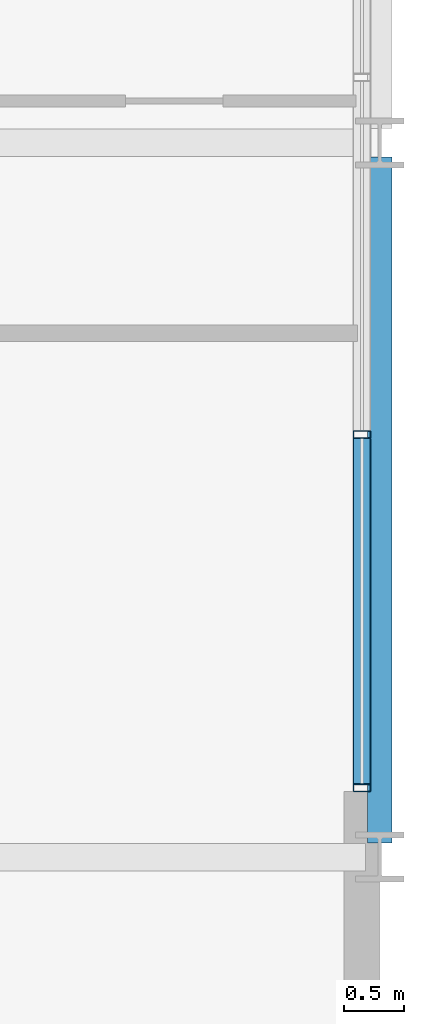
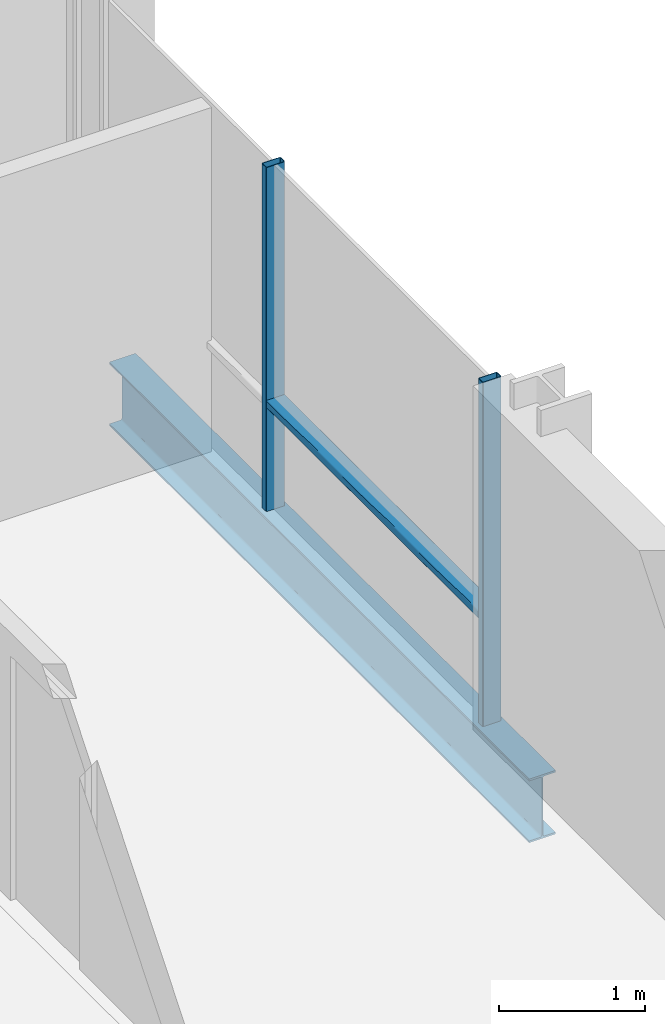
# One storey, part 17 of 41: 3 members, 1 beam, 1 element without a shape of its own.
"""IFC4 building model written with IfcOpenShell, lengths in metres."""

import ifcopenshell
import ifcopenshell.guid

model = None  # the IFC model being written
_history = None  # IfcOwnerHistory: only IFC2X3 demands one
_inside = {}  # id of a spatial element -> (the spatial element, [elements in it])
_under = {}  # id of a project, library or spatial element -> (it, [spatial elements below it])
_declared = {}  # id of a project -> (the project, [libraries it declares])
_typed = {}  # id of a type object -> (the type object, [elements of that type])
_made_of = {}  # id of a material, layer set ... -> (it, [elements and type objects made of it])


def new_model(schema):
    """Start an empty IFC model of exactly this schema.

    Asked for "IFC4X3", IfcOpenShell would pick the latest addendum, in which some entities
    have other attributes; the version numbers below select the first issue.
    IFC2X3 requires an IfcOwnerHistory on every rooted entity: one is made here for all.
    """
    global model, _history
    if schema == "IFC4X3":
        model = ifcopenshell.file(schema_version=(4, 3, 0, 0))
    else:
        model = ifcopenshell.file(schema=schema)
    _inside.clear()
    _under.clear()
    _declared.clear()
    _typed.clear()
    _made_of.clear()
    _history = None
    if model.schema == "IFC2X3":
        org = make("IfcOrganization", Name="unknown")
        user = make(
            "IfcPersonAndOrganization",
            ThePerson=make("IfcPerson", FamilyName="unknown"),
            TheOrganization=org,
        )
        app = make(
            "IfcApplication",
            ApplicationDeveloper=org,
            Version="unknown",
            ApplicationFullName="unknown",
            ApplicationIdentifier="unknown",
        )
        _history = make(
            "IfcOwnerHistory",
            OwningUser=user,
            OwningApplication=app,
            ChangeAction="ADDED",
            CreationDate=0,
        )
    return model


def make(cls, **values):
    """One entity of the class cls with the attributes given. An attribute that is None is left unset."""
    return model.create_entity(
        cls, **{name: value for name, value in values.items() if value is not None}
    )


def rooted(cls, **values):
    """An entity with a GlobalId (a new one), such as an element, a storey or a relation."""
    return make(cls, GlobalId=ifcopenshell.guid.new(), OwnerHistory=_history, **values)


def si_unit(unit_type, name, prefix=None):
    """IfcSIUnit, for example si_unit("LENGTHUNIT", "METRE", prefix="MILLI")."""
    return make("IfcSIUnit", UnitType=unit_type, Prefix=prefix, Name=name)


def assignment(units):
    """IfcUnitAssignment: the units of a project."""
    return None if units is None else make("IfcUnitAssignment", Units=units)


def point(xyz):
    """IfcCartesianPoint."""
    return None if xyz is None else make("IfcCartesianPoint", Coordinates=xyz)


def direction(xyz):
    """IfcDirection."""
    return None if xyz is None else make("IfcDirection", DirectionRatios=xyz)


def frame(location, z_axis=None, x_axis=None):
    """IfcAxis2Placement3D, a coordinate frame: its origin and axes. An axis left out is left unset."""
    return make(
        "IfcAxis2Placement3D",
        Location=point(location),
        Axis=direction(z_axis),
        RefDirection=direction(x_axis),
    )


def frame_2d(location, x_axis=None):
    """IfcAxis2Placement2D, a coordinate frame in the plane: its origin and x axis."""
    return make(
        "IfcAxis2Placement2D", Location=point(location), RefDirection=direction(x_axis)
    )


def origin():
    """The frame at (0, 0, 0) with its axes left unset."""
    return frame((0.0, 0.0, 0.0))


def origin_2d():
    """The frame at (0, 0) in the plane with its x axis left unset."""
    return frame_2d((0.0, 0.0))


def place(relative_to, where):
    """IfcLocalPlacement: puts the frame where relative to a parent placement (None: the world)."""
    return make(
        "IfcLocalPlacement", PlacementRelTo=relative_to, RelativePlacement=where
    )


def context(
    kind, dimensions, precision=None, world=None, true_north=None, identifier=None
):
    """IfcGeometricRepresentationContext, for example the 3D "Model" context."""
    return make(
        "IfcGeometricRepresentationContext",
        ContextIdentifier=identifier,
        ContextType=kind,
        CoordinateSpaceDimension=dimensions,
        Precision=precision,
        WorldCoordinateSystem=world,
        TrueNorth=true_north,
    )


def subcontext(parent, identifier, kind, view, scale=None):
    """IfcGeometricRepresentationSubContext, for example "Body" below "Model"."""
    return make(
        "IfcGeometricRepresentationSubContext",
        ContextIdentifier=identifier,
        ContextType=kind,
        ParentContext=parent,
        TargetScale=scale,
        TargetView=view,
    )


def project(units=None, contexts=None):
    """IfcProject with its units and contexts."""
    return rooted(
        "IfcProject",
        Name="project",
        RepresentationContexts=contexts,
        UnitsInContext=assignment(units),
    )


def spatial(cls, under=None, at=None, **own):
    """A site, building, storey or space (cls), placed at a placement, below another one or the project."""
    s = rooted(cls, ObjectPlacement=at, **own)
    if under is not None:
        _under.setdefault(under.id(), (under, []))[1].append(s)
    return s


def profile(cls, at=None, kind="AREA", **sizes):
    """A parametric profile (cls). Its sizes go by their IFC names, for example OverallWidth=200.0."""
    return make(cls, ProfileType=kind, Position=at, **sizes)


def hollow_rectangle(**sizes):
    """IfcRectangleHollowProfileDef."""
    return profile("IfcRectangleHollowProfileDef", **sizes)


def i_section(**sizes):
    """IfcIShapeProfileDef."""
    return profile("IfcIShapeProfileDef", **sizes)


def extrude(swept, where, along, depth):
    """IfcExtrudedAreaSolid: the profile swept, set in the frame where, extruded along a direction by depth."""
    return make(
        "IfcExtrudedAreaSolid",
        SweptArea=swept,
        Position=where,
        ExtrudedDirection=direction(along),
        Depth=depth,
    )


def shape(context_of_items, identifier, shape_type, items):
    """IfcShapeRepresentation: the items that make up one representation, for example the "Body"."""
    return make(
        "IfcShapeRepresentation",
        ContextOfItems=context_of_items,
        RepresentationIdentifier=identifier,
        RepresentationType=shape_type,
        Items=items,
    )


def material(Name=None, Category=None):
    """IfcMaterial."""
    return make("IfcMaterial", Name=Name, Category=Category)


def layer(
    of_material, thickness, ventilated=None, Name=None, Category=None, Priority=None
):
    """IfcMaterialLayer: one layer of a wall or slab, of a material (None: an air gap)."""
    return make(
        "IfcMaterialLayer",
        Material=of_material,
        LayerThickness=thickness,
        IsVentilated=ventilated,
        Name=Name,
        Category=Category,
        Priority=Priority,
    )


def layer_set(layers, Name=None):
    """IfcMaterialLayerSet."""
    return make("IfcMaterialLayerSet", MaterialLayers=layers, LayerSetName=Name)


def material_profile(
    of_material, cross_section, Name=None, Category=None, Priority=None
):
    """IfcMaterialProfile: a cross section and its material."""
    return make(
        "IfcMaterialProfile",
        Name=Name,
        Material=of_material,
        Profile=cross_section,
        Priority=Priority,
        Category=Category,
    )


def profile_set(profiles, Name=None, composite=None):
    """IfcMaterialProfileSet."""
    return make(
        "IfcMaterialProfileSet",
        Name=Name,
        MaterialProfiles=profiles,
        CompositeProfile=composite,
    )


def made_of(thing, what):
    """Note that an element or type object is made of a material, layer set ...; save() writes the relation."""
    if what is not None:
        _made_of.setdefault(what.id(), (what, []))[1].append(thing)
    return thing


def type_object(cls, material=None, **own):
    """A type object (cls), such as IfcWallType, which elements share."""
    return made_of(rooted(cls, **own), material)


def element(
    cls,
    number,
    at=None,
    inside=None,
    cuts=None,
    type_object=None,
    material=None,
    context=None,
    identifier="Body",
    shape_type=None,
    held_by="IfcProductDefinitionShape",
    body=None,
    shapes=None,
    **own,
):
    """One element of the class cls, such as IfcWall. Its Tag is "e" and its number.

    at: its placement. inside: the storey or other place that contains it. cuts: it is an
    opening in that element (IfcRelVoidsElement). A single representation is given by context,
    identifier, shape_type and body (its items); several are given by shapes. held_by: the class
    of the entity that holds the representations. save() writes the other relations.
    """
    e = rooted(cls, Tag="e%d" % number, ObjectPlacement=at, **own)
    if body is not None:
        shapes = [shape(context, identifier, shape_type, body)]
    if shapes is not None:
        e.Representation = make(held_by, Representations=shapes)
    if inside is not None:
        _inside.setdefault(inside.id(), (inside, []))[1].append(e)
    if cuts is not None:
        rooted(
            "IfcRelVoidsElement", RelatingBuildingElement=cuts, RelatedOpeningElement=e
        )
    if type_object is not None:
        _typed.setdefault(type_object.id(), (type_object, []))[1].append(e)
    return made_of(e, material)


def aggregate(whole, parts):
    """IfcRelAggregates: a whole, such as a stair, and the parts it consists of."""
    return rooted("IfcRelAggregates", RelatingObject=whole, RelatedObjects=parts)


def save(model, path):
    """Write the relations noted so far, then the file.

    IfcRelAggregates (storeys below a building ...), IfcRelContainedInSpatialStructure (elements
    in a storey), IfcRelDefinesByType, IfcRelAssociatesMaterial and IfcRelDeclares: one each for
    every whole, place, type object, material and project.
    """
    for whole, parts in _under.values():
        aggregate(whole, parts)
    for where, things in _inside.values():
        rooted(
            "IfcRelContainedInSpatialStructure",
            RelatedElements=things,
            RelatingStructure=where,
        )
    for kind, things in _typed.values():
        rooted("IfcRelDefinesByType", RelatedObjects=things, RelatingType=kind)
    for what, things in _made_of.values():
        rooted("IfcRelAssociatesMaterial", RelatedObjects=things, RelatingMaterial=what)
    for by, libraries in _declared.values():
        rooted("IfcRelDeclares", RelatingContext=by, RelatedDefinitions=libraries)
    model.write(path)


model = new_model("IFC4")

# Units and contexts
model_context = context("Model", 3, precision=1e-05, world=origin(), true_north=direction((0.0, 1.0)))
body_context = subcontext(model_context, "Body", "Model", "MODEL_VIEW")
ifc_project = project(units=[si_unit("LENGTHUNIT", "METRE"), si_unit("AREAUNIT", "SQUARE_METRE"), si_unit("VOLUMEUNIT", "CUBIC_METRE"), si_unit("PLANEANGLEUNIT", "RADIAN"), si_unit("MASSUNIT", "GRAM", prefix="KILO")], contexts=[model_context])

# Site, building, storey
site_placement = place(None, origin())
site = spatial("IfcSite", under=ifc_project, at=site_placement, CompositionType="ELEMENT")
building_placement = place(site_placement, origin())
building = spatial("IfcBuilding", under=site, at=building_placement, Name="Brevholm Reach", CompositionType="ELEMENT")
storey_placement = place(building_placement, frame((0.0, 0.0, 138.699951171875)))
storey = spatial("IfcBuildingStorey", under=building, at=storey_placement, Name="L41", CompositionType="ELEMENT", Elevation=138.699951171875)

# Beam
ifc_material_1 = material(Name="Structural Steel S355J2", Category="steel")
ifc_material_profile_1 = material_profile(ifc_material_1, i_section(OverallWidth=0.209228515625, OverallDepth=0.533203125, WebThickness=0.010009765625, FlangeThickness=0.015625, FilletRadius=0.0126953125, at=origin_2d()), Name="UKB 533x210x92")
ifc_profile_set_1 = profile_set([ifc_material_profile_1], Name="Structural Steel S355J2")
beam_type = type_object("IfcBeamType", Name="BM-SP533", PredefinedType="SPANDREL", material=ifc_profile_set_1)
beam_placement = place(storey_placement, frame((60.0, 10.1201171875, -0.486572265625), z_axis=(0.0, 1.0, 0.0), x_axis=(-1.0, 0.0, 0.0)))
element("IfcBeam", 1, at=beam_placement, inside=storey, type_object=beam_type, Name="L41 SP-02 Framing Beam", PredefinedType="SPANDREL", context=body_context, shape_type="SweptSolid", body=[
    extrude(i_section(OverallWidth=0.209228515625, OverallDepth=0.533203125, WebThickness=0.010009765625, FlangeThickness=0.015625, FilletRadius=0.0126953125, at=origin_2d()), origin(), (0.0, 0.0, 1.0), 5.759765625),
])

# Curtain wall, members
ifc_material_2 = material(Name="Dark Anodised Aluminium 6063-T6 and Solar-Control Glass", Category="aluminium")
ifc_layer = layer(ifc_material_2, 0.14990234375)
ifc_layer_set = layer_set([ifc_layer], Name="Dark Anodised Aluminium 6063-T6 and Solar-Control Glass")
curtain_wall_type = type_object("IfcCurtainWallType", Name="CW-01", PredefinedType="NOTDEFINED", material=ifc_layer_set)
curtain_wall_placement = place(storey_placement, origin())
curtain_wall = element("IfcCurtainWall", 2, at=curtain_wall_placement, inside=storey, type_object=curtain_wall_type, Name="L41 Curtain Wall CW-01", PredefinedType="NOTDEFINED")
ifc_material_3 = material(Name="Dark Anodised Aluminium 6063-T6", Category="aluminium")
ifc_material_profile_2 = material_profile(ifc_material_3, hollow_rectangle(XDim=0.06494140625, YDim=0.14990234375, WallThickness=0.0048828125, InnerFilletRadius=0.0048828125, OuterFilletRadius=0.010009765625, at=origin_2d()), Name="RHS 150x65x5")
ifc_profile_set_2 = profile_set([ifc_material_profile_2], Name="Dark Anodised Aluminium 6063-T6")
member_type_1 = type_object("IfcMemberType", Name="CWM-150", PredefinedType="MULLION", material=ifc_profile_set_2)
member_1_placement = place(storey_placement, frame((59.85009765625, 10.58251953125, 0.0), z_axis=(0.0, 0.0, 1.0), x_axis=(0.0, 1.0, 0.0)))
member_1 = element("IfcMember", 3, at=member_1_placement, type_object=member_type_1, Name="CM-150 Mullion 1", PredefinedType="MULLION", context=body_context, shape_type="SweptSolid", body=[
    extrude(hollow_rectangle(XDim=0.06494140625, YDim=0.14990234375, WallThickness=0.0048828125, InnerFilletRadius=0.0048828125, OuterFilletRadius=0.010009765625, at=origin_2d()), origin(), (0.0, 0.0, 1.0), 2.880126953125),
])
member_2_placement = place(storey_placement, frame((59.85009765625, 13.550048828125, 0.0), z_axis=(0.0, 0.0, 1.0), x_axis=(0.0, 1.0, 0.0)))
member_2 = element("IfcMember", 4, at=member_2_placement, type_object=member_type_1, Name="CM-150 Mullion 2", PredefinedType="MULLION", context=body_context, shape_type="SweptSolid", body=[
    extrude(hollow_rectangle(XDim=0.06494140625, YDim=0.14990234375, WallThickness=0.0048828125, InnerFilletRadius=0.0048828125, OuterFilletRadius=0.010009765625, at=origin_2d()), origin(), (0.0, 0.0, 1.0), 2.880126953125),
])
ifc_material_4 = material(Name="Dark Anodised Aluminium 6063-T6", Category="aluminium")
ifc_material_profile_3 = material_profile(ifc_material_4, hollow_rectangle(XDim=0.06494140625, YDim=0.14990234375, WallThickness=0.0048828125, InnerFilletRadius=0.0048828125, OuterFilletRadius=0.010009765625, at=origin_2d()), Name="RHS 150x65x5")
ifc_profile_set_3 = profile_set([ifc_material_profile_3], Name="Dark Anodised Aluminium 6063-T6")
member_type_2 = type_object("IfcMemberType", Name="CWT-150", PredefinedType="NOTDEFINED", material=ifc_profile_set_3)
member_3_placement = place(storey_placement, frame((59.85009765625, 10.614990234375, 0.900146484375), z_axis=(0.0, 1.0, 0.0), x_axis=(0.0, 0.0, 1.0)))
member_3 = element("IfcMember", 5, at=member_3_placement, type_object=member_type_2, Name="CT-150 Transom 1.1", ObjectType="TRANSOM", PredefinedType="USERDEFINED", context=body_context, shape_type="SweptSolid", body=[
    extrude(hollow_rectangle(XDim=0.06494140625, YDim=0.14990234375, WallThickness=0.0048828125, InnerFilletRadius=0.0048828125, OuterFilletRadius=0.010009765625, at=origin_2d()), origin(), (0.0, 0.0, 1.0), 2.902587890625),
])
aggregate(curtain_wall, [member_1, member_2, member_3])

save(model, "model.ifc")
